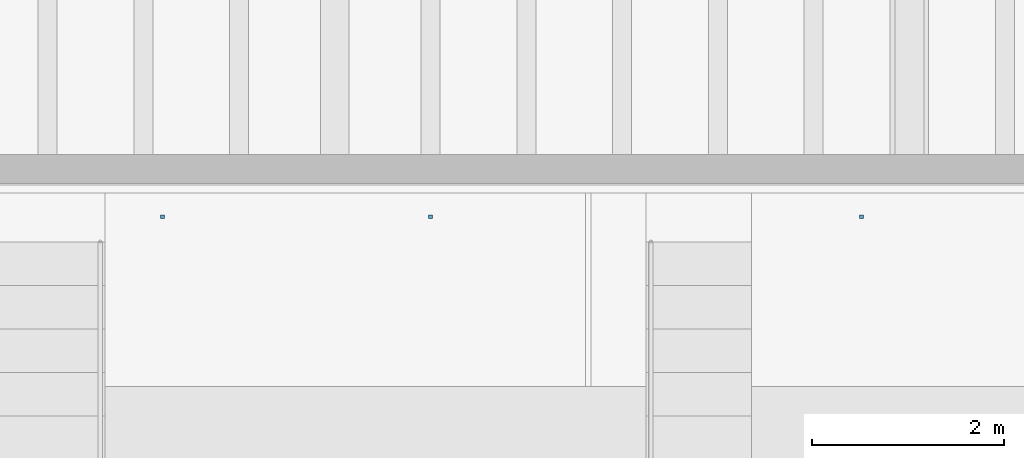
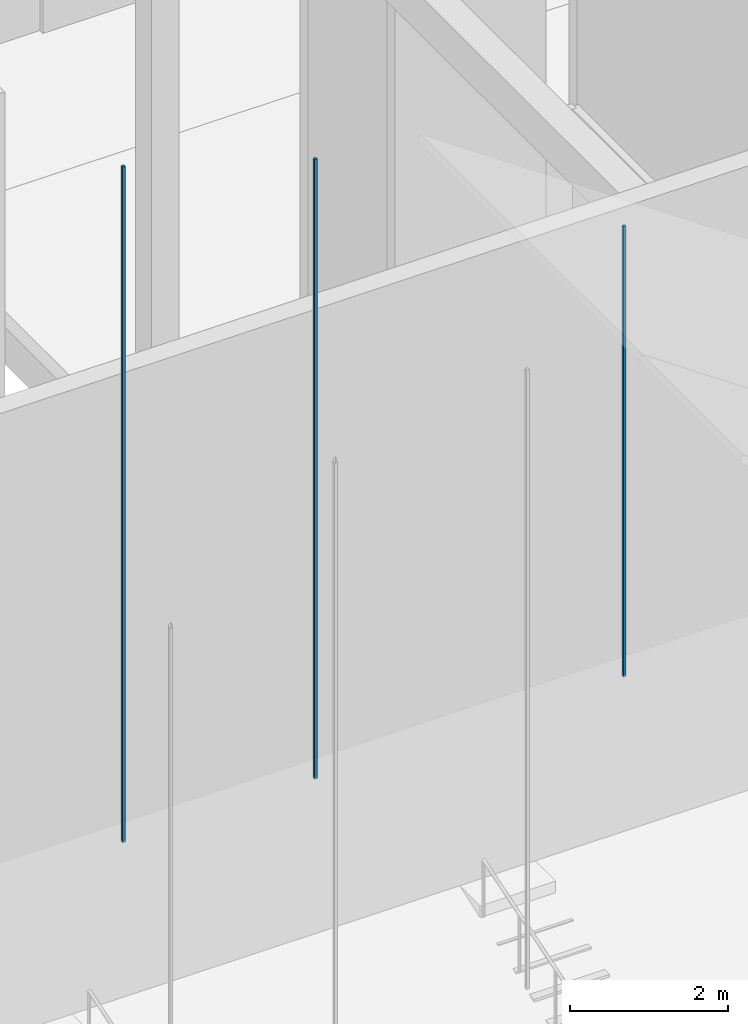
# One storey, part 77 of 118: 3 discrete accessories.
"""IFC4 building model written with IfcOpenShell, lengths in metres."""

from ifc_helpers import new_model, si_unit, direction, frame, origin, origin_2d, place, context, subcontext, project, spatial, rectangle, extrude, element, save


model = new_model("IFC4")

# Units and contexts
model_context = context("Model", 3, precision=1e-05, world=origin(), true_north=direction((0.0, 1.0)))
body_context = subcontext(model_context, "Body", "Model", "MODEL_VIEW")
ifc_project = project(units=[si_unit("LENGTHUNIT", "METRE"), si_unit("AREAUNIT", "SQUARE_METRE"), si_unit("VOLUMEUNIT", "CUBIC_METRE"), si_unit("PLANEANGLEUNIT", "RADIAN"), si_unit("MASSUNIT", "GRAM", prefix="KILO")], contexts=[model_context])

# Site, building, storey
site_placement = place(None, origin())
site = spatial("IfcSite", under=ifc_project, at=site_placement, CompositionType="ELEMENT")
building_placement = place(site_placement, origin())
building = spatial("IfcBuilding", under=site, at=building_placement, Name="Saffron Lane Theatres", CompositionType="ELEMENT")
storey_placement = place(building_placement, frame((0.0, 0.0, 16.5)))
storey = spatial("IfcBuildingStorey", under=building, at=storey_placement, Name="L03", CompositionType="ELEMENT", Elevation=16.5)

# Discrete accessories
discrete_accessory_1_placement = place(storey_placement, frame((34.199951171875, 89.35009765625, 4.56005859375), z_axis=(0.0, 0.0, 1.0), x_axis=(1.0, 0.0, 0.0)))
element("IfcDiscreteAccessory", 1, at=discrete_accessory_1_placement, inside=storey, Name="Ceiling hanger", PredefinedType="BRACKET", context=body_context, shape_type="SweptSolid", body=[
    extrude(rectangle(XDim=0.0400390625, YDim=0.0400390625, at=origin_2d()), origin(), (0.0, 0.0, 1.0), 10.412841796875),
])
discrete_accessory_2_placement = place(storey_placement, frame((37.0, 89.35009765625, 4.56005859375), z_axis=(0.0, 0.0, 1.0), x_axis=(1.0, 0.0, 0.0)))
element("IfcDiscreteAccessory", 2, at=discrete_accessory_2_placement, inside=storey, Name="Ceiling hanger", PredefinedType="BRACKET", context=body_context, shape_type="SweptSolid", body=[
    extrude(rectangle(XDim=0.0400390625, YDim=0.0400390625, at=origin_2d()), origin(), (0.0, 0.0, 1.0), 9.54833984375),
])
discrete_accessory_3_placement = place(storey_placement, frame((41.5, 89.35009765625, 4.56005859375), z_axis=(0.0, 0.0, 1.0), x_axis=(1.0, 0.0, 0.0)))
element("IfcDiscreteAccessory", 3, at=discrete_accessory_3_placement, inside=storey, Name="Ceiling hanger", PredefinedType="BRACKET", context=body_context, shape_type="SweptSolid", body=[
    extrude(rectangle(XDim=0.0400390625, YDim=0.0400390625, at=origin_2d()), origin(), (0.0, 0.0, 1.0), 6.9375),
])

save(model, "model.ifc")
